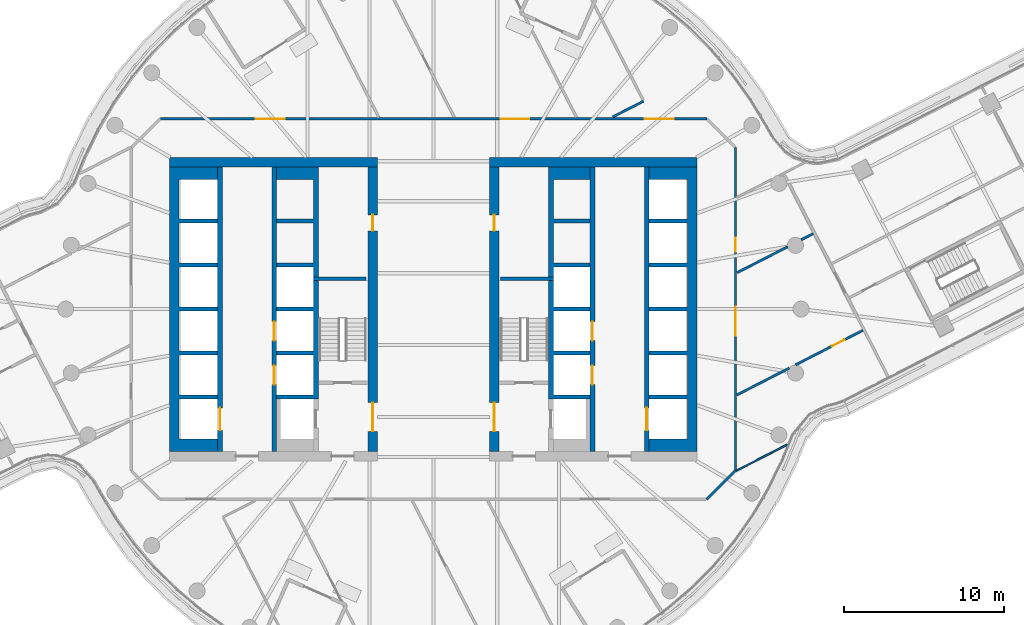
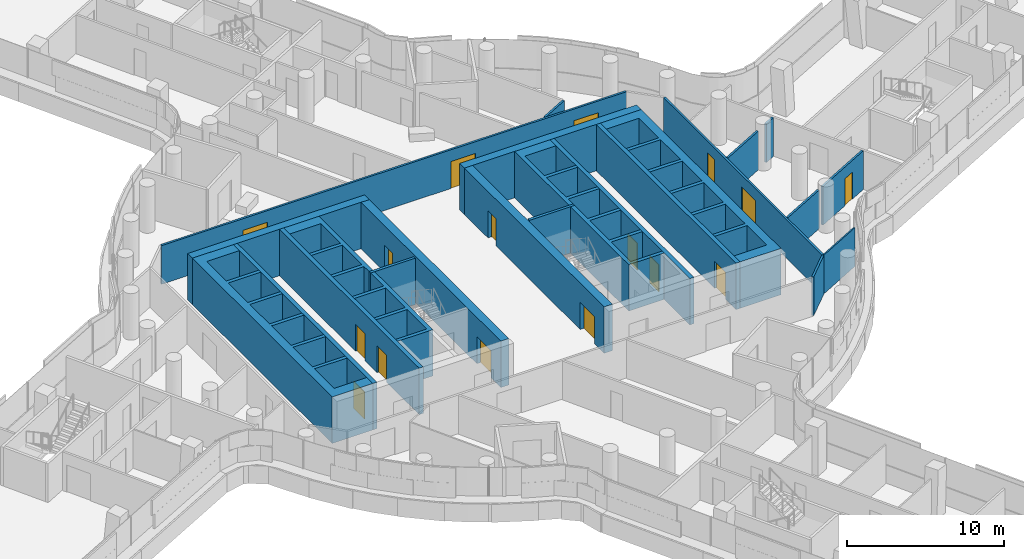
# One storey, part 24 of 37: 23 walls, 16 doors, 16 openings.
"""IFC4 building model written with IfcOpenShell, lengths in metres."""

from ifc_helpers import new_model, si_unit, direction, frame, frame_2d, origin, place, context, subcontext, project, spatial, polyline, rectangle, outline, extrude, material, layer, layer_set, type_object, element, fill, save


model = new_model("IFC4")

# Units and contexts
model_context = context("Model", 3, precision=1e-05, world=origin(), true_north=direction((0.0, 1.0)))
body_context = subcontext(model_context, "Body", "Model", "MODEL_VIEW")
ifc_project = project(units=[si_unit("LENGTHUNIT", "METRE"), si_unit("AREAUNIT", "SQUARE_METRE"), si_unit("VOLUMEUNIT", "CUBIC_METRE"), si_unit("PLANEANGLEUNIT", "RADIAN"), si_unit("MASSUNIT", "GRAM", prefix="KILO")], contexts=[model_context])

# Site, building, storey
site_placement = place(None, origin())
site = spatial("IfcSite", under=ifc_project, at=site_placement, CompositionType="ELEMENT")
building_placement = place(site_placement, origin())
building = spatial("IfcBuilding", under=site, at=building_placement, Name="Tamarind Cross Interchange Tower", CompositionType="ELEMENT")
storey_placement = place(building_placement, frame((0.0, 0.0, 133.0)))
storey = spatial("IfcBuildingStorey", under=building, at=storey_placement, Name="L32", CompositionType="ELEMENT", Elevation=133.0)

# Walls
ifc_material_1 = material(Name="Concrete C60", Category="concrete")
ifc_layer_1 = layer(ifc_material_1, 0.60009765625)
ifc_layer_set_1 = layer_set([ifc_layer_1], Name="Concrete C60")
wall_type_1 = type_object("IfcWallType", Name="Core wall 600 mm Concrete C60", PredefinedType="SHEAR", material=ifc_layer_set_1)
wall_1_placement = place(storey_placement, origin())
element("IfcWall", 1, at=wall_1_placement, inside=storey, type_object=wall_type_1, Name="Core wall CWL-L32-W-A", PredefinedType="SHEAR", context=body_context, shape_type="SweptSolid", body=[
    extrude(outline(polyline([(-13.5, -8.89990234375), (-13.5, -8.125), (-15.89990234375, -8.125), (-15.89990234375, -5.625), (-13.5, -5.625), (-13.5, -5.375), (-15.89990234375, -5.375), (-15.89990234375, -2.875), (-13.5, -2.875), (-13.5, -2.625), (-15.89990234375, -2.625), (-15.89990234375, -0.125), (-13.5, -0.125), (-13.5, 0.125), (-15.89990234375, 0.125), (-15.89990234375, 2.625), (-13.5, 2.625), (-13.5, 2.875), (-15.89990234375, 2.875), (-15.89990234375, 5.375), (-13.5, 5.375), (-13.5, 5.625), (-15.89990234375, 5.625), (-15.89990234375, 8.125), (-13.5, 8.125), (-13.5, 8.89990234375), (-15.89990234375, 8.89990234375), (-16.5, 8.89990234375), (-16.5, -8.89990234375), (-15.89990234375, -8.89990234375), (-13.5, -8.89990234375)])), origin(), (0.0, 0.0, 1.0), 3.610107421875),
])
wall_2_placement = place(storey_placement, frame((-16.5, 9.199951171875, 0.0), z_axis=(0.0, 0.0, 1.0), x_axis=(1.0, 0.0, 0.0)))
element("IfcWall", 2, at=wall_2_placement, inside=storey, type_object=wall_type_1, Name="Core wall CWL-L32-W-NE", PredefinedType="SHEAR", context=body_context, shape_type="SweptSolid", body=[
    extrude(rectangle(XDim=13.0, YDim=0.60009765625, at=frame_2d((6.5, 0.0))), origin(), (0.0, 0.0, 1.0), 3.610107421875),
])

# Wall, openings, doors
wall_3_placement = place(storey_placement, frame((-3.800048828125, -8.89990234375, 0.0), z_axis=(0.0, 0.0, 1.0), x_axis=(0.0, 1.0, 0.0)))
wall_3 = element("IfcWall", 3, at=wall_3_placement, inside=storey, type_object=wall_type_1, Name="Core wall CWL-L32-W-IN", PredefinedType="SHEAR", context=body_context, shape_type="SweptSolid", body=[
    extrude(rectangle(XDim=17.7998046875, YDim=0.60009765625, at=frame_2d((8.89990234375, 0.0))), origin(), (0.0, 0.0, 1.0), 3.610107421875),
])
opening_1_placement = place(wall_3_placement, frame((1.25, 0.0, 0.0)))
opening_1 = element("IfcOpeningElement", 4, at=opening_1_placement, cuts=wall_3, Name="Opening DCW4", PredefinedType="OPENING", context=body_context, shape_type="SweptSolid", body=[
    extrude(rectangle(XDim=1.800048828125, YDim=2.10009765625, at=frame_2d((0.89990234375, 1.050048828125))), frame((0.0, 0.31005859375, 0.0), z_axis=(0.0, -1.0, 0.0), x_axis=(1.0, 0.0, 0.0)), (0.0, 0.0, 1.0), 0.6201171875),
])
opening_2_placement = place(wall_3_placement, frame((13.800048828125, 0.0, 0.0)))
opening_2 = element("IfcOpeningElement", 5, at=opening_2_placement, cuts=wall_3, Name="Opening DCW5", PredefinedType="OPENING", context=body_context, shape_type="SweptSolid", body=[
    extrude(rectangle(XDim=1.0, YDim=2.10009765625, at=frame_2d((0.5, 1.050048828125))), frame((0.0, 0.31005859375, 0.0), z_axis=(0.0, -1.0, 0.0), x_axis=(1.0, 0.0, 0.0)), (0.0, 0.0, 1.0), 0.6201171875),
])
ifc_material_2 = material(Name="Steel, fire-resisting", Category="steel")
door_type_1 = type_object("IfcDoorType", Name="Core fire door 1000 x 2100 FD90", OperationType="SINGLE_SWING_LEFT", PredefinedType="DOOR", material=ifc_material_2)
door_1_placement = place(opening_2_placement, origin())
door_1 = element("IfcDoor", 6, at=door_1_placement, inside=storey, type_object=door_type_1, Name="L32 riser room door", OperationType="SINGLE_SWING_LEFT", OverallHeight=2.10009765625, OverallWidth=1.0, PredefinedType="DOOR", context=body_context, shape_type="SweptSolid", body=[
    extrude(rectangle(XDim=1.0, YDim=2.10009765625, at=frame_2d((0.5, 1.050048828125))), frame((0.0, 0.02490234375, 0.0), z_axis=(0.0, -1.0, 0.0), x_axis=(1.0, 0.0, 0.0)), (0.0, 0.0, 1.0), 0.050048828125),
])
fill(opening_2, door_1)
door_type_2 = type_object("IfcDoorType", Name="Core fire door 1800 x 2100 FD90", OperationType="SINGLE_SWING_LEFT", PredefinedType="DOOR", material=ifc_material_2)
door_2_placement = place(opening_1_placement, origin())
door_2 = element("IfcDoor", 7, at=door_2_placement, inside=storey, type_object=door_type_2, Name="L32 firefighting lobby door", OperationType="SINGLE_SWING_LEFT", OverallHeight=2.10009765625, OverallWidth=1.800048828125, PredefinedType="DOOR", context=body_context, shape_type="SweptSolid", body=[
    extrude(rectangle(XDim=1.800048828125, YDim=2.10009765625, at=frame_2d((0.89990234375, 1.050048828125))), frame((0.0, 0.02490234375, 0.0), z_axis=(0.0, -1.0, 0.0), x_axis=(1.0, 0.0, 0.0)), (0.0, 0.0, 1.0), 0.050048828125),
])
fill(opening_1, door_2)

# Walls
wall_4_placement = place(storey_placement, origin())
element("IfcWall", 8, at=wall_4_placement, inside=storey, type_object=wall_type_1, Name="Core wall CWL-L32-E-A", PredefinedType="SHEAR", context=body_context, shape_type="SweptSolid", body=[
    extrude(outline(polyline([(13.5, -8.89990234375), (15.89990234375, -8.89990234375), (16.5, -8.89990234375), (16.5, 8.89990234375), (15.89990234375, 8.89990234375), (13.5, 8.89990234375), (13.5, 8.125), (15.89990234375, 8.125), (15.89990234375, 5.625), (13.5, 5.625), (13.5, 5.375), (15.89990234375, 5.375), (15.89990234375, 2.875), (13.5, 2.875), (13.5, 2.625), (15.89990234375, 2.625), (15.89990234375, 0.125), (13.5, 0.125), (13.5, -0.125), (15.89990234375, -0.125), (15.89990234375, -2.625), (13.5, -2.625), (13.5, -2.875), (15.89990234375, -2.875), (15.89990234375, -5.375), (13.5, -5.375), (13.5, -5.625), (15.89990234375, -5.625), (15.89990234375, -8.125), (13.5, -8.125), (13.5, -8.89990234375)])), origin(), (0.0, 0.0, 1.0), 3.610107421875),
])
wall_5_placement = place(storey_placement, frame((16.5, 9.199951171875, 0.0), z_axis=(0.0, 0.0, 1.0), x_axis=(-1.0, 0.0, 0.0)))
element("IfcWall", 9, at=wall_5_placement, inside=storey, type_object=wall_type_1, Name="Core wall CWL-L32-E-NE", PredefinedType="SHEAR", context=body_context, shape_type="SweptSolid", body=[
    extrude(rectangle(XDim=13.0, YDim=0.60009765625, at=frame_2d((6.5, 0.0))), origin(), (0.0, 0.0, 1.0), 3.610107421875),
])

# Wall, openings, doors
wall_6_placement = place(storey_placement, frame((3.800048828125, -8.89990234375, 0.0), z_axis=(0.0, 0.0, 1.0), x_axis=(0.0, 1.0, 0.0)))
wall_6 = element("IfcWall", 10, at=wall_6_placement, inside=storey, type_object=wall_type_1, Name="Core wall CWL-L32-E-IN", PredefinedType="SHEAR", context=body_context, shape_type="SweptSolid", body=[
    extrude(rectangle(XDim=17.7998046875, YDim=0.60009765625, at=frame_2d((8.89990234375, 0.0))), origin(), (0.0, 0.0, 1.0), 3.610107421875),
])
opening_3_placement = place(wall_6_placement, frame((1.25, 0.0, 0.0)))
opening_3 = element("IfcOpeningElement", 11, at=opening_3_placement, cuts=wall_6, Name="Opening DCE4", PredefinedType="OPENING", context=body_context, shape_type="SweptSolid", body=[
    extrude(rectangle(XDim=1.800048828125, YDim=2.10009765625, at=frame_2d((0.89990234375, 1.050048828125))), frame((0.0, 0.31005859375, 0.0), z_axis=(0.0, -1.0, 0.0), x_axis=(1.0, 0.0, 0.0)), (0.0, 0.0, 1.0), 0.6201171875),
])
opening_4_placement = place(wall_6_placement, frame((13.800048828125, 0.0, 0.0)))
opening_4 = element("IfcOpeningElement", 12, at=opening_4_placement, cuts=wall_6, Name="Opening DCE5", PredefinedType="OPENING", context=body_context, shape_type="SweptSolid", body=[
    extrude(rectangle(XDim=1.0, YDim=2.10009765625, at=frame_2d((0.5, 1.050048828125))), frame((0.0, 0.31005859375, 0.0), z_axis=(0.0, -1.0, 0.0), x_axis=(1.0, 0.0, 0.0)), (0.0, 0.0, 1.0), 0.6201171875),
])
door_3_placement = place(opening_4_placement, origin())
door_3 = element("IfcDoor", 13, at=door_3_placement, inside=storey, type_object=door_type_1, Name="L32 riser room door", OperationType="SINGLE_SWING_LEFT", OverallHeight=2.10009765625, OverallWidth=1.0, PredefinedType="DOOR", context=body_context, shape_type="SweptSolid", body=[
    extrude(rectangle(XDim=1.0, YDim=2.10009765625, at=frame_2d((0.5, 1.050048828125))), frame((0.0, 0.02490234375, 0.0), z_axis=(0.0, -1.0, 0.0), x_axis=(1.0, 0.0, 0.0)), (0.0, 0.0, 1.0), 0.050048828125),
])
fill(opening_4, door_3)
door_4_placement = place(opening_3_placement, origin())
door_4 = element("IfcDoor", 14, at=door_4_placement, inside=storey, type_object=door_type_2, Name="L32 firefighting lobby door", OperationType="SINGLE_SWING_LEFT", OverallHeight=2.10009765625, OverallWidth=1.800048828125, PredefinedType="DOOR", context=body_context, shape_type="SweptSolid", body=[
    extrude(rectangle(XDim=1.800048828125, YDim=2.10009765625, at=frame_2d((0.89990234375, 1.050048828125))), frame((0.0, 0.02490234375, 0.0), z_axis=(0.0, -1.0, 0.0), x_axis=(1.0, 0.0, 0.0)), (0.0, 0.0, 1.0), 0.050048828125),
])
fill(opening_3, door_4)

# Walls
ifc_layer_2 = layer(ifc_material_1, 0.199951171875)
ifc_layer_set_2 = layer_set([ifc_layer_2], Name="Concrete C60")
wall_type_2 = type_object("IfcWallType", Name="Core web wall 200 mm Concrete C60", PredefinedType="SHEAR", material=ifc_layer_set_2)
for number, where, z_axis, x_axis, name in (
    (15, (-7.5, 1.89990234375, 0.0), (0.0, 0.0, 1.0), (1.0, 0.0, 0.0), "Core wall CWL-L32-W-BD"),
    (16, (7.5, 1.89990234375, 0.0), (0.0, 0.0, 1.0), (-1.0, 0.0, 0.0), "Core wall CWL-L32-E-BD"),
):
    element("IfcWall", number, at=place(storey_placement, frame(where, z_axis=z_axis, x_axis=x_axis)), inside=storey, type_object=wall_type_2, Name=name, PredefinedType="SHEAR", context=body_context, shape_type="SweptSolid", body=[
        extrude(rectangle(XDim=3.300048828125, YDim=0.199951171875, at=frame_2d((1.64990234375, 0.0))), origin(), (0.0, 0.0, 1.0), 3.610107421875),
    ])
ifc_layer_3 = layer(ifc_material_1, 0.300048828125)
ifc_layer_set_3 = layer_set([ifc_layer_3], Name="Concrete C60")
wall_type_3 = type_object("IfcWallType", Name="Core web wall 300 mm Concrete C60", PredefinedType="SHEAR", material=ifc_layer_set_3)
wall_7_placement = place(storey_placement, origin())
element("IfcWall", 17, at=wall_7_placement, inside=storey, type_object=wall_type_3, Name="Core wall CWL-L32-W-BN", PredefinedType="SHEAR", context=body_context, shape_type="SweptSolid", body=[
    extrude(outline(polyline([(-9.800048828125, -5.375), (-9.800048828125, -5.625), (-7.5, -5.625), (-7.199951171875, -5.625), (-7.199951171875, 8.89990234375), (-7.5, 8.89990234375), (-9.800048828125, 8.89990234375), (-9.800048828125, 8.125), (-7.5, 8.125), (-7.5, 5.625), (-9.800048828125, 5.625), (-9.800048828125, 5.375), (-7.5, 5.375), (-7.5, 2.875), (-9.800048828125, 2.875), (-9.800048828125, 2.625), (-7.5, 2.625), (-7.5, 0.125), (-9.800048828125, 0.125), (-9.800048828125, -0.125), (-7.5, -0.125), (-7.5, -2.625), (-9.800048828125, -2.625), (-9.800048828125, -2.875), (-7.5, -2.875), (-7.5, -5.375), (-9.800048828125, -5.375)])), origin(), (0.0, 0.0, 1.0), 3.610107421875),
])

# Wall, opening, door
wall_8_placement = place(storey_placement, frame((-13.35009765625, -8.89990234375, 0.0), z_axis=(0.0, 0.0, 1.0), x_axis=(0.0, 1.0, 0.0)))
wall_8 = element("IfcWall", 18, at=wall_8_placement, inside=storey, type_object=wall_type_3, Name="Core wall CWL-L32-W-LA", PredefinedType="SHEAR", context=body_context, shape_type="SweptSolid", body=[
    extrude(rectangle(XDim=17.7998046875, YDim=0.300048828125, at=frame_2d((8.89990234375, 0.0))), origin(), (0.0, 0.0, 1.0), 3.610107421875),
])
opening_5_placement = place(wall_8_placement, frame((1.324951171875, 0.0, 0.0)))
opening_5 = element("IfcOpeningElement", 19, at=opening_5_placement, cuts=wall_8, Name="Opening LD1L32", PredefinedType="OPENING", context=body_context, shape_type="SweptSolid", body=[
    extrude(rectangle(XDim=1.39990234375, YDim=2.10009765625, at=frame_2d((0.699951171875, 1.050048828125))), frame((0.0, 0.159912109375, 0.0), z_axis=(0.0, -1.0, 0.0), x_axis=(1.0, 0.0, 0.0)), (0.0, 0.0, 1.0), 0.320068359375),
])
ifc_material_3 = material(Name="Stainless steel panel", Category="steel")
door_type_3 = type_object("IfcDoorType", Name="Lift landing door 1400 x 2100 E 120", OperationType="SLIDING_TO_LEFT", PredefinedType="DOOR", material=ifc_material_3)
door_5_placement = place(opening_5_placement, origin())
door_5 = element("IfcDoor", 20, at=door_5_placement, inside=storey, type_object=door_type_3, Name="L32 landing door LF1", OperationType="SLIDING_TO_LEFT", OverallHeight=2.10009765625, OverallWidth=1.39990234375, PredefinedType="DOOR", context=body_context, shape_type="SweptSolid", body=[
    extrude(rectangle(XDim=1.39990234375, YDim=2.10009765625, at=frame_2d((0.699951171875, 1.050048828125))), frame((0.0, 0.02490234375, 0.0), z_axis=(0.0, -1.0, 0.0), x_axis=(1.0, 0.0, 0.0)), (0.0, 0.0, 1.0), 0.050048828125),
])
fill(opening_5, door_5)

# Wall, openings, doors
wall_9_placement = place(storey_placement, frame((-9.949951171875, -8.89990234375, 0.0), z_axis=(0.0, 0.0, 1.0), x_axis=(0.0, 1.0, 0.0)))
wall_9 = element("IfcWall", 21, at=wall_9_placement, inside=storey, type_object=wall_type_3, Name="Core wall CWL-L32-W-LB", PredefinedType="SHEAR", context=body_context, shape_type="SweptSolid", body=[
    extrude(rectangle(XDim=17.7998046875, YDim=0.300048828125, at=frame_2d((8.89990234375, 0.0))), origin(), (0.0, 0.0, 1.0), 3.610107421875),
])
opening_6_placement = place(wall_9_placement, frame((4.175048828125, 0.0, 0.0)))
opening_6 = element("IfcOpeningElement", 22, at=opening_6_placement, cuts=wall_9, Name="Opening LD8L32", PredefinedType="OPENING", context=body_context, shape_type="SweptSolid", body=[
    extrude(rectangle(XDim=1.199951171875, YDim=2.10009765625, at=frame_2d((0.60009765625, 1.050048828125))), frame((0.0, 0.159912109375, 0.0), z_axis=(0.0, -1.0, 0.0), x_axis=(1.0, 0.0, 0.0)), (0.0, 0.0, 1.0), 0.320068359375),
])
opening_7_placement = place(wall_9_placement, frame((6.925048828125, 0.0, 0.0)))
opening_7 = element("IfcOpeningElement", 23, at=opening_7_placement, cuts=wall_9, Name="Opening LD9L32", PredefinedType="OPENING", context=body_context, shape_type="SweptSolid", body=[
    extrude(rectangle(XDim=1.199951171875, YDim=2.10009765625, at=frame_2d((0.60009765625, 1.050048828125))), frame((0.0, 0.159912109375, 0.0), z_axis=(0.0, -1.0, 0.0), x_axis=(1.0, 0.0, 0.0)), (0.0, 0.0, 1.0), 0.320068359375),
])
door_type_4 = type_object("IfcDoorType", Name="Lift landing door 1200 x 2100 E 120", OperationType="SLIDING_TO_LEFT", PredefinedType="DOOR", material=ifc_material_3)
door_6_placement = place(opening_6_placement, origin())
door_6 = element("IfcDoor", 24, at=door_6_placement, inside=storey, type_object=door_type_4, Name="L32 landing door LF8", OperationType="SLIDING_TO_LEFT", OverallHeight=2.10009765625, OverallWidth=1.199951171875, PredefinedType="DOOR", context=body_context, shape_type="SweptSolid", body=[
    extrude(rectangle(XDim=1.199951171875, YDim=2.10009765625, at=frame_2d((0.60009765625, 1.050048828125))), frame((0.0, 0.02490234375, 0.0), z_axis=(0.0, -1.0, 0.0), x_axis=(1.0, 0.0, 0.0)), (0.0, 0.0, 1.0), 0.050048828125),
])
fill(opening_6, door_6)
door_7_placement = place(opening_7_placement, origin())
door_7 = element("IfcDoor", 25, at=door_7_placement, inside=storey, type_object=door_type_4, Name="L32 landing door LF9", OperationType="SLIDING_TO_LEFT", OverallHeight=2.10009765625, OverallWidth=1.199951171875, PredefinedType="DOOR", context=body_context, shape_type="SweptSolid", body=[
    extrude(rectangle(XDim=1.199951171875, YDim=2.10009765625, at=frame_2d((0.60009765625, 1.050048828125))), frame((0.0, 0.02490234375, 0.0), z_axis=(0.0, -1.0, 0.0), x_axis=(1.0, 0.0, 0.0)), (0.0, 0.0, 1.0), 0.050048828125),
])
fill(opening_7, door_7)

# Wall
wall_10_placement = place(storey_placement, origin())
element("IfcWall", 26, at=wall_10_placement, inside=storey, type_object=wall_type_3, Name="Core wall CWL-L32-E-BN", PredefinedType="SHEAR", context=body_context, shape_type="SweptSolid", body=[
    extrude(outline(polyline([(9.800048828125, -5.375), (7.5, -5.375), (7.5, -2.875), (9.800048828125, -2.875), (9.800048828125, -2.625), (7.5, -2.625), (7.5, -0.125), (9.800048828125, -0.125), (9.800048828125, 0.125), (7.5, 0.125), (7.5, 2.625), (9.800048828125, 2.625), (9.800048828125, 2.875), (7.5, 2.875), (7.5, 5.375), (9.800048828125, 5.375), (9.800048828125, 5.625), (7.5, 5.625), (7.5, 8.125), (9.800048828125, 8.125), (9.800048828125, 8.89990234375), (7.5, 8.89990234375), (7.199951171875, 8.89990234375), (7.199951171875, -5.625), (7.5, -5.625), (9.800048828125, -5.625), (9.800048828125, -5.375)])), origin(), (0.0, 0.0, 1.0), 3.610107421875),
])

# Wall, opening, door
wall_11_placement = place(storey_placement, frame((13.35009765625, -8.89990234375, 0.0), z_axis=(0.0, 0.0, 1.0), x_axis=(0.0, 1.0, 0.0)))
wall_11 = element("IfcWall", 27, at=wall_11_placement, inside=storey, type_object=wall_type_3, Name="Core wall CWL-L32-E-LA", PredefinedType="SHEAR", context=body_context, shape_type="SweptSolid", body=[
    extrude(rectangle(XDim=17.7998046875, YDim=0.300048828125, at=frame_2d((8.89990234375, 0.0))), origin(), (0.0, 0.0, 1.0), 3.610107421875),
])
opening_8_placement = place(wall_11_placement, frame((1.324951171875, 0.0, 0.0)))
opening_8 = element("IfcOpeningElement", 28, at=opening_8_placement, cuts=wall_11, Name="Opening LD13L32", PredefinedType="OPENING", context=body_context, shape_type="SweptSolid", body=[
    extrude(rectangle(XDim=1.39990234375, YDim=2.10009765625, at=frame_2d((0.699951171875, 1.050048828125))), frame((0.0, 0.159912109375, 0.0), z_axis=(0.0, -1.0, 0.0), x_axis=(1.0, 0.0, 0.0)), (0.0, 0.0, 1.0), 0.320068359375),
])
door_8_placement = place(opening_8_placement, origin())
door_8 = element("IfcDoor", 29, at=door_8_placement, inside=storey, type_object=door_type_3, Name="L32 landing door LF13", OperationType="SLIDING_TO_LEFT", OverallHeight=2.10009765625, OverallWidth=1.39990234375, PredefinedType="DOOR", context=body_context, shape_type="SweptSolid", body=[
    extrude(rectangle(XDim=1.39990234375, YDim=2.10009765625, at=frame_2d((0.699951171875, 1.050048828125))), frame((0.0, 0.02490234375, 0.0), z_axis=(0.0, -1.0, 0.0), x_axis=(1.0, 0.0, 0.0)), (0.0, 0.0, 1.0), 0.050048828125),
])
fill(opening_8, door_8)

# Wall, openings, doors
wall_12_placement = place(storey_placement, frame((9.949951171875, -8.89990234375, 0.0), z_axis=(0.0, 0.0, 1.0), x_axis=(0.0, 1.0, 0.0)))
wall_12 = element("IfcWall", 30, at=wall_12_placement, inside=storey, type_object=wall_type_3, Name="Core wall CWL-L32-E-LB", PredefinedType="SHEAR", context=body_context, shape_type="SweptSolid", body=[
    extrude(rectangle(XDim=17.7998046875, YDim=0.300048828125, at=frame_2d((8.89990234375, 0.0))), origin(), (0.0, 0.0, 1.0), 3.610107421875),
])
opening_9_placement = place(wall_12_placement, frame((4.175048828125, 0.0, 0.0)))
opening_9 = element("IfcOpeningElement", 31, at=opening_9_placement, cuts=wall_12, Name="Opening LD20L32", PredefinedType="OPENING", context=body_context, shape_type="SweptSolid", body=[
    extrude(rectangle(XDim=1.199951171875, YDim=2.10009765625, at=frame_2d((0.60009765625, 1.050048828125))), frame((0.0, 0.159912109375, 0.0), z_axis=(0.0, -1.0, 0.0), x_axis=(1.0, 0.0, 0.0)), (0.0, 0.0, 1.0), 0.320068359375),
])
opening_10_placement = place(wall_12_placement, frame((6.925048828125, 0.0, 0.0)))
opening_10 = element("IfcOpeningElement", 32, at=opening_10_placement, cuts=wall_12, Name="Opening LD21L32", PredefinedType="OPENING", context=body_context, shape_type="SweptSolid", body=[
    extrude(rectangle(XDim=1.199951171875, YDim=2.10009765625, at=frame_2d((0.60009765625, 1.050048828125))), frame((0.0, 0.159912109375, 0.0), z_axis=(0.0, -1.0, 0.0), x_axis=(1.0, 0.0, 0.0)), (0.0, 0.0, 1.0), 0.320068359375),
])
door_9_placement = place(opening_9_placement, origin())
door_9 = element("IfcDoor", 33, at=door_9_placement, inside=storey, type_object=door_type_4, Name="L32 landing door LF20", OperationType="SLIDING_TO_LEFT", OverallHeight=2.10009765625, OverallWidth=1.199951171875, PredefinedType="DOOR", context=body_context, shape_type="SweptSolid", body=[
    extrude(rectangle(XDim=1.199951171875, YDim=2.10009765625, at=frame_2d((0.60009765625, 1.050048828125))), frame((0.0, 0.02490234375, 0.0), z_axis=(0.0, -1.0, 0.0), x_axis=(1.0, 0.0, 0.0)), (0.0, 0.0, 1.0), 0.050048828125),
])
fill(opening_9, door_9)
door_10_placement = place(opening_10_placement, origin())
door_10 = element("IfcDoor", 34, at=door_10_placement, inside=storey, type_object=door_type_4, Name="L32 landing door LF21", OperationType="SLIDING_TO_LEFT", OverallHeight=2.10009765625, OverallWidth=1.199951171875, PredefinedType="DOOR", context=body_context, shape_type="SweptSolid", body=[
    extrude(rectangle(XDim=1.199951171875, YDim=2.10009765625, at=frame_2d((0.60009765625, 1.050048828125))), frame((0.0, 0.02490234375, 0.0), z_axis=(0.0, -1.0, 0.0), x_axis=(1.0, 0.0, 0.0)), (0.0, 0.0, 1.0), 0.050048828125),
])
fill(opening_10, door_10)

# Wall
ifc_material_4 = material(Name="Gypsum board partition on steel studs", Category="steel")
ifc_layer_4 = layer(ifc_material_4, 0.10009765625)
ifc_layer_set_4 = layer_set([ifc_layer_4], Name="Gypsum board partition on steel studs")
wall_type_4 = type_object("IfcWallType", Name="Partition 100 mm EI 90", PredefinedType="PARTITIONING", material=ifc_layer_set_4)
wall_13_placement = place(storey_placement, frame((18.929931640625, -10.117919921875, 0.0), z_axis=(0.0, 0.0, 1.0), x_axis=(0.889666890189, 0.456610144984, 0.0)))
element("IfcWall", 35, at=wall_13_placement, inside=storey, type_object=wall_type_4, Name="Partition L32-066", PredefinedType="PARTITIONING", context=body_context, shape_type="SweptSolid", body=[
    extrude(rectangle(XDim=3.5966796875, YDim=0.10009765625, at=frame_2d((1.79833984375, 0.0))), origin(), (0.0, 0.0, 1.0), 3.010009765625),
])

# Wall, openings, doors
ifc_layer_5 = layer(ifc_material_4, 0.14990234375)
ifc_layer_set_5 = layer_set([ifc_layer_5], Name="Gypsum board partition on steel studs")
wall_type_5 = type_object("IfcWallType", Name="Partition 150 mm EI 120", PredefinedType="PARTITIONING", material=ifc_layer_set_5)
wall_14_placement = place(storey_placement, frame((-17.06494140625, 11.89990234375, 0.0), z_axis=(0.0, 0.0, 1.0), x_axis=(1.0, 0.0, 0.0)))
wall_14 = element("IfcWall", 36, at=wall_14_placement, inside=storey, type_object=wall_type_5, Name="Partition L32-037", PredefinedType="PARTITIONING", context=body_context, shape_type="SweptSolid", body=[
    extrude(rectangle(XDim=34.1650390625, YDim=0.14990234375, at=frame_2d((17.08251953125, 0.0))), origin(), (0.0, 0.0, 1.0), 3.010009765625),
])
opening_11_placement = place(wall_14_placement, frame((21.27587890625, 0.0, 0.0)))
opening_11 = element("IfcOpeningElement", 37, at=opening_11_placement, cuts=wall_14, Name="Opening D24", PredefinedType="OPENING", context=body_context, shape_type="SweptSolid", body=[
    extrude(rectangle(XDim=1.800048828125, YDim=2.10009765625, at=frame_2d((0.89990234375, 1.050048828125))), frame((0.0, 0.0849609375, 0.0), z_axis=(0.0, -1.0, 0.0), x_axis=(1.0, 0.0, 0.0)), (0.0, 0.0, 1.0), 0.169921875),
])
opening_12_placement = place(wall_14_placement, frame((30.297119140625, 0.0, 0.0)))
opening_12 = element("IfcOpeningElement", 38, at=opening_12_placement, cuts=wall_14, Name="Opening D25", PredefinedType="OPENING", context=body_context, shape_type="SweptSolid", body=[
    extrude(rectangle(XDim=1.800048828125, YDim=2.10009765625, at=frame_2d((0.89990234375, 1.050048828125))), frame((0.0, 0.0849609375, 0.0), z_axis=(0.0, -1.0, 0.0), x_axis=(1.0, 0.0, 0.0)), (0.0, 0.0, 1.0), 0.169921875),
])
opening_13_placement = place(wall_14_placement, frame((5.965087890625, 0.0, 0.0)))
opening_13 = element("IfcOpeningElement", 39, at=opening_13_placement, cuts=wall_14, Name="Opening D26", PredefinedType="OPENING", context=body_context, shape_type="SweptSolid", body=[
    extrude(rectangle(XDim=1.800048828125, YDim=2.10009765625, at=frame_2d((0.89990234375, 1.050048828125))), frame((0.0, 0.0849609375, 0.0), z_axis=(0.0, -1.0, 0.0), x_axis=(1.0, 0.0, 0.0)), (0.0, 0.0, 1.0), 0.169921875),
])
ifc_material_5 = material(Name="Fire-resisting door set")
door_type_5 = type_object("IfcDoorType", Name="Interior door 1800 x 2100 FD60S", OperationType="DOUBLE_DOOR_SINGLE_SWING", PredefinedType="DOOR", material=ifc_material_5)
door_11_placement = place(opening_11_placement, frame((1.800048828125, 0.0, 0.0), z_axis=(0.0, 0.0, 1.0), x_axis=(-1.0, 0.0, 0.0)))
door_11 = element("IfcDoor", 40, at=door_11_placement, inside=storey, type_object=door_type_5, Name="Door D24", OperationType="DOUBLE_DOOR_SINGLE_SWING", OverallHeight=2.10009765625, OverallWidth=1.800048828125, PredefinedType="DOOR", context=body_context, shape_type="SweptSolid", body=[
    extrude(rectangle(XDim=1.800048828125, YDim=2.10009765625, at=frame_2d((0.89990234375, 1.050048828125))), frame((0.0, 0.02490234375, 0.0), z_axis=(0.0, -1.0, 0.0), x_axis=(1.0, 0.0, 0.0)), (0.0, 0.0, 1.0), 0.050048828125),
])
fill(opening_11, door_11)
door_12_placement = place(opening_12_placement, origin())
door_12 = element("IfcDoor", 41, at=door_12_placement, inside=storey, type_object=door_type_5, Name="Door D25", OperationType="DOUBLE_DOOR_SINGLE_SWING", OverallHeight=2.10009765625, OverallWidth=1.800048828125, PredefinedType="DOOR", context=body_context, shape_type="SweptSolid", body=[
    extrude(rectangle(XDim=1.800048828125, YDim=2.10009765625, at=frame_2d((0.89990234375, 1.050048828125))), frame((0.0, 0.02490234375, 0.0), z_axis=(0.0, -1.0, 0.0), x_axis=(1.0, 0.0, 0.0)), (0.0, 0.0, 1.0), 0.050048828125),
])
fill(opening_12, door_12)
door_13_placement = place(opening_13_placement, origin())
door_13 = element("IfcDoor", 42, at=door_13_placement, inside=storey, type_object=door_type_5, Name="Door D26", OperationType="DOUBLE_DOOR_SINGLE_SWING", OverallHeight=2.10009765625, OverallWidth=1.800048828125, PredefinedType="DOOR", context=body_context, shape_type="SweptSolid", body=[
    extrude(rectangle(XDim=1.800048828125, YDim=2.10009765625, at=frame_2d((0.89990234375, 1.050048828125))), frame((0.0, 0.02490234375, 0.0), z_axis=(0.0, -1.0, 0.0), x_axis=(1.0, 0.0, 0.0)), (0.0, 0.0, 1.0), 0.050048828125),
])
fill(opening_13, door_13)

# Walls
wall_15_placement = place(storey_placement, frame((11.22216796875, 12.023193359375, 0.0), z_axis=(0.0, 0.0, 1.0), x_axis=(0.889721403814, 0.456503914108, 0.0)))
element("IfcWall", 43, at=wall_15_placement, inside=storey, type_object=wall_type_5, Name="Partition L32-065", PredefinedType="PARTITIONING", context=body_context, shape_type="SweptSolid", body=[
    extrude(rectangle(XDim=2.170166015625, YDim=0.14990234375, at=frame_2d((1.0849609375, 0.0))), origin(), (0.0, 0.0, 1.0), 3.010009765625),
])
wall_16_placement = place(storey_placement, frame((18.993408203125, -5.364013671875, 0.0), z_axis=(0.0, 0.0, 1.0), x_axis=(0.889723982038, 0.45649888914, 0.0)))
element("IfcWall", 44, at=wall_16_placement, inside=storey, type_object=wall_type_5, Name="Partition L32-067", PredefinedType="PARTITIONING", context=body_context, shape_type="SweptSolid", body=[
    extrude(rectangle(XDim=3.67138671875, YDim=0.14990234375, at=frame_2d((1.835693359375, 0.0))), origin(), (0.0, 0.0, 1.0), 3.010009765625),
])

# Wall, opening, door
wall_17_placement = place(storey_placement, frame((22.655029296875, -3.485107421875, 0.0), z_axis=(0.0, 0.0, 1.0), x_axis=(0.88970520017, 0.456535493461, 0.0)))
wall_17 = element("IfcWall", 45, at=wall_17_placement, inside=storey, type_object=wall_type_5, Name="Partition L32-068", PredefinedType="PARTITIONING", context=body_context, shape_type="SweptSolid", body=[
    extrude(rectangle(XDim=4.733154296875, YDim=0.14990234375, at=frame_2d((2.36669921875, 0.0))), origin(), (0.0, 0.0, 1.0), 3.010009765625),
])
opening_14_placement = place(wall_17_placement, frame((2.550048828125, 0.0, 0.0)))
opening_14 = element("IfcOpeningElement", 46, at=opening_14_placement, cuts=wall_17, Name="Opening D35", PredefinedType="OPENING", context=body_context, shape_type="SweptSolid", body=[
    extrude(rectangle(XDim=0.89990234375, YDim=2.10009765625, at=frame_2d((0.449951171875, 1.050048828125))), frame((0.0, 0.0849609375, 0.0), z_axis=(0.0, -1.0, 0.0), x_axis=(1.0, 0.0, 0.0)), (0.0, 0.0, 1.0), 0.169921875),
])
door_type_6 = type_object("IfcDoorType", Name="Interior door 900 x 2100 FD60S", OperationType="SINGLE_SWING_LEFT", PredefinedType="DOOR", material=ifc_material_5)
door_14_placement = place(opening_14_placement, frame((0.89990234375, 0.0, 0.0), z_axis=(0.0, 0.0, 1.0), x_axis=(-1.0, 0.0, 0.0)))
door_14 = element("IfcDoor", 47, at=door_14_placement, inside=storey, type_object=door_type_6, Name="Door D35", OperationType="SINGLE_SWING_RIGHT", OverallHeight=2.10009765625, OverallWidth=0.89990234375, PredefinedType="DOOR", context=body_context, shape_type="SweptSolid", body=[
    extrude(rectangle(XDim=0.89990234375, YDim=2.10009765625, at=frame_2d((0.449951171875, 1.050048828125))), frame((0.0, 0.02490234375, 0.0), z_axis=(0.0, -1.0, 0.0), x_axis=(1.0, 0.0, 0.0)), (0.0, 0.0, 1.0), 0.050048828125),
])
fill(opening_14, door_14)

# Walls
wall_18_placement = place(storey_placement, frame((18.993408203125, 2.27880859375, 0.0), z_axis=(0.0, 0.0, 1.0), x_axis=(0.889720446933, 0.456505779054, 0.0)))
element("IfcWall", 48, at=wall_18_placement, inside=storey, type_object=wall_type_5, Name="Partition L32-069", PredefinedType="PARTITIONING", context=body_context, shape_type="SweptSolid", body=[
    extrude(rectangle(XDim=3.56396484375, YDim=0.14990234375, at=frame_2d((1.781982421875, 0.0))), origin(), (0.0, 0.0, 1.0), 3.010009765625),
])
wall_19_placement = place(storey_placement, frame((23.00439453125, 4.3369140625, 0.0), z_axis=(0.0, 0.0, 1.0), x_axis=(0.889677168086, 0.456590118802, 0.0)))
element("IfcWall", 49, at=wall_19_placement, inside=storey, type_object=wall_type_5, Name="Partition L32-070", PredefinedType="PARTITIONING", context=body_context, shape_type="SweptSolid", body=[
    extrude(rectangle(XDim=0.851806640625, YDim=0.14990234375, at=frame_2d((0.42578125, 0.0))), origin(), (0.0, 0.0, 1.0), 3.010009765625),
])
wall_20_placement = place(storey_placement, frame((17.10009765625, -11.89990234375, 0.0), z_axis=(0.0, 0.0, 1.0), x_axis=(0.707106781187, 0.707106781187, 0.0)))
element("IfcWall", 50, at=wall_20_placement, inside=storey, type_object=wall_type_5, Name="Partition L32-077", PredefinedType="PARTITIONING", context=body_context, shape_type="SweptSolid", body=[
    extrude(rectangle(XDim=2.50537109375, YDim=0.14990234375, at=frame_2d((1.252685546875, 0.0))), origin(), (0.0, 0.0, 1.0), 3.010009765625),
])

# Wall, openings, doors
wall_21_placement = place(storey_placement, frame((18.89990234375, -10.10009765625, 0.0), z_axis=(0.0, 0.0, 1.0), x_axis=(0.0, 1.0, 0.0)))
wall_21 = element("IfcWall", 51, at=wall_21_placement, inside=storey, type_object=wall_type_5, Name="Partition L32-079", PredefinedType="PARTITIONING", context=body_context, shape_type="SweptSolid", body=[
    extrude(rectangle(XDim=20.2001953125, YDim=0.14990234375, at=frame_2d((10.10009765625, 0.0))), origin(), (0.0, 0.0, 1.0), 3.010009765625),
])
opening_15_placement = place(wall_21_placement, frame((8.43798828125, 0.0, 0.0)))
opening_15 = element("IfcOpeningElement", 52, at=opening_15_placement, cuts=wall_21, Name="Opening D42", PredefinedType="OPENING", context=body_context, shape_type="SweptSolid", body=[
    extrude(rectangle(XDim=1.800048828125, YDim=2.10009765625, at=frame_2d((0.89990234375, 1.050048828125))), frame((0.0, 0.0849609375, 0.0), z_axis=(0.0, -1.0, 0.0), x_axis=(1.0, 0.0, 0.0)), (0.0, 0.0, 1.0), 0.169921875),
])
opening_16_placement = place(wall_21_placement, frame((13.680908203125, 0.0, 0.0)))
opening_16 = element("IfcOpeningElement", 53, at=opening_16_placement, cuts=wall_21, Name="Opening D43", PredefinedType="OPENING", context=body_context, shape_type="SweptSolid", body=[
    extrude(rectangle(XDim=0.89990234375, YDim=2.10009765625, at=frame_2d((0.449951171875, 1.050048828125))), frame((0.0, 0.0849609375, 0.0), z_axis=(0.0, -1.0, 0.0), x_axis=(1.0, 0.0, 0.0)), (0.0, 0.0, 1.0), 0.169921875),
])
door_15_placement = place(opening_15_placement, origin())
door_15 = element("IfcDoor", 54, at=door_15_placement, inside=storey, type_object=door_type_5, Name="Door D42", OperationType="DOUBLE_DOOR_SINGLE_SWING", OverallHeight=2.10009765625, OverallWidth=1.800048828125, PredefinedType="DOOR", context=body_context, shape_type="SweptSolid", body=[
    extrude(rectangle(XDim=1.800048828125, YDim=2.10009765625, at=frame_2d((0.89990234375, 1.050048828125))), frame((0.0, 0.02490234375, 0.0), z_axis=(0.0, -1.0, 0.0), x_axis=(1.0, 0.0, 0.0)), (0.0, 0.0, 1.0), 0.050048828125),
])
fill(opening_15, door_15)
door_16_placement = place(opening_16_placement, frame((0.89990234375, 0.0, 0.0), z_axis=(0.0, 0.0, 1.0), x_axis=(-1.0, 0.0, 0.0)))
door_16 = element("IfcDoor", 55, at=door_16_placement, inside=storey, type_object=door_type_6, Name="Door D43", OperationType="SINGLE_SWING_RIGHT", OverallHeight=2.10009765625, OverallWidth=0.89990234375, PredefinedType="DOOR", context=body_context, shape_type="SweptSolid", body=[
    extrude(rectangle(XDim=0.89990234375, YDim=2.10009765625, at=frame_2d((0.449951171875, 1.050048828125))), frame((0.0, 0.02490234375, 0.0), z_axis=(0.0, -1.0, 0.0), x_axis=(1.0, 0.0, 0.0)), (0.0, 0.0, 1.0), 0.050048828125),
])
fill(opening_16, door_16)

save(model, "model.ifc")
